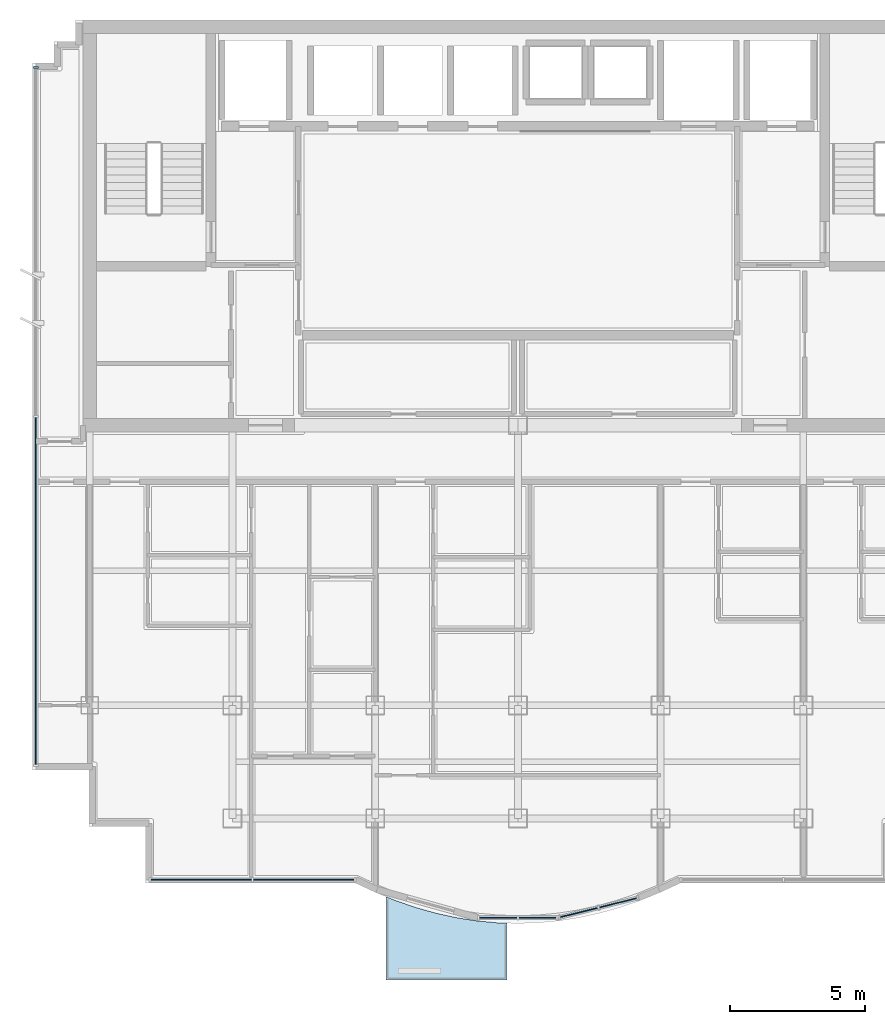
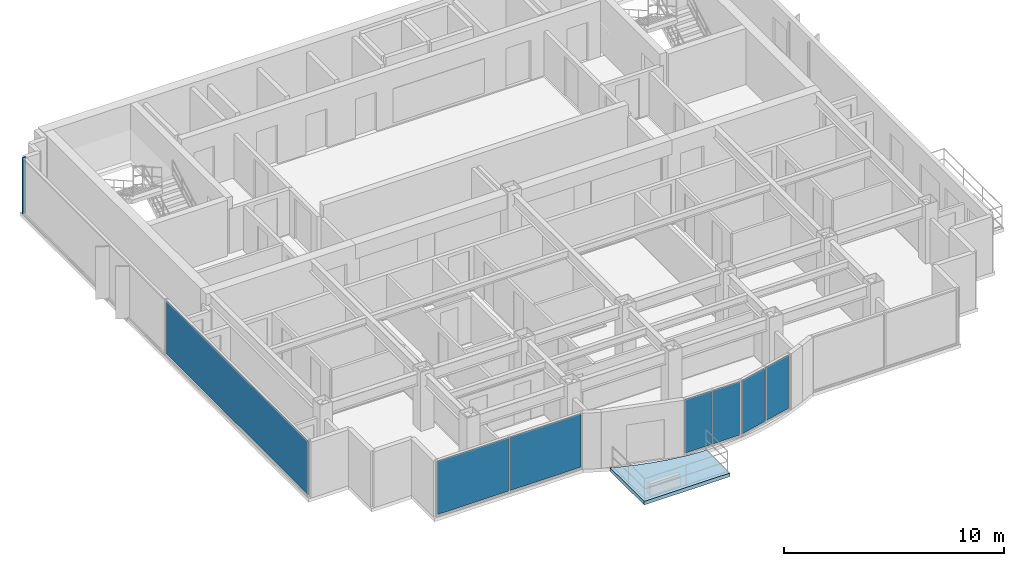
# One storey, part 3 of 9: 7 plates, 1 member, 1 slab, 4 elements without a shape of their own.
"""IFC4 building model written with IfcOpenShell, lengths in metres."""

from ifc_helpers import new_model, si_unit, direction, frame, origin, origin_2d, place, context, subcontext, project, spatial, polyline, rectangle, outline, extrude, source, transform, mapped, material, layer, layer_set, material_profile, profile_set, type_object, element, aggregate, save


model = new_model("IFC4")

# Units and contexts
model_context = context("Model", 3, precision=1e-05, world=origin(), true_north=direction((0.0, 1.0)))
body_context = subcontext(model_context, "Body", "Model", "MODEL_VIEW")
ifc_project = project(units=[si_unit("LENGTHUNIT", "METRE"), si_unit("AREAUNIT", "SQUARE_METRE"), si_unit("VOLUMEUNIT", "CUBIC_METRE"), si_unit("PLANEANGLEUNIT", "RADIAN"), si_unit("MASSUNIT", "GRAM", prefix="KILO")], contexts=[model_context])

# Site, building, storey
site_placement = place(None, origin())
site = spatial("IfcSite", under=ifc_project, at=site_placement, CompositionType="ELEMENT")
building_placement = place(site_placement, origin())
building = spatial("IfcBuilding", under=site, at=building_placement, Name="Qianlan Lanfeng Residences", CompositionType="ELEMENT")
storey_placement = place(building_placement, frame((0.0, 0.0, 242.89990234375)))
storey = spatial("IfcBuildingStorey", under=building, at=storey_placement, Name="L67", CompositionType="ELEMENT", Elevation=242.89990234375)

# Curtain wall, member
ifc_material_1 = material(Name="Anodised Bronze Aluminium 6063-T6", Category="aluminium")
ifc_layer_1 = layer(ifc_material_1, 0.219970703125)
ifc_layer_set_1 = layer_set([ifc_layer_1], Name="Anodised Bronze Aluminium 6063-T6")
curtain_wall_type = type_object("IfcCurtainWallType", Name="CW-06", PredefinedType="NOTDEFINED", material=ifc_layer_set_1)
curtain_wall_1_placement = place(storey_placement, origin())
curtain_wall_1 = element("IfcCurtainWall", 1, at=curtain_wall_1_placement, inside=storey, type_object=curtain_wall_type, Name="L67 Unitised Curtain Wall CWR-L67-05 (CW-06)", PredefinedType="NOTDEFINED")
ifc_material_profile = material_profile(ifc_material_1, rectangle(XDim=0.074951171875, YDim=0.179931640625, at=origin_2d()), Name="ALU MULLION 75x180")
ifc_profile_set = profile_set([ifc_material_profile], Name="Anodised Bronze Aluminium 6063-T6")
member_type = type_object("IfcMemberType", Name="CWM-180", PredefinedType="MULLION", material=ifc_profile_set)
shared_shape_1 = source(origin(), body_context, "Body", "SweptSolid", [
    extrude(rectangle(XDim=0.074951171875, YDim=0.179931640625, at=origin_2d()), origin(), (0.0, 0.0, 1.0), 3.110107421875),
])
member_placement = place(storey_placement, frame((8.60009765625, 38.492431640625, 0.0), z_axis=(0.0, 0.0, 1.0), x_axis=(0.0, -1.0, 0.0)))
member = element("IfcMember", 2, at=member_placement, type_object=member_type, Name="CWR-L67-05 Mullion 1", PredefinedType="MULLION", context=body_context, shape_type="MappedRepresentation", body=[
    mapped(shared_shape_1, transform((0.0, 0.0, 0.0), scale=1.0)),
])

# Slab
ifc_material_2 = material(Name="Concrete C42", Category="concrete")
ifc_layer_2 = layer(ifc_material_2, 0.199951171875)
ifc_layer_set_2 = layer_set([ifc_layer_2], Name="Concrete C42")
slab_type = type_object("IfcSlabType", Name="S-BAL-200", PredefinedType="FLOOR", material=ifc_layer_set_2)
slab_placement = place(storey_placement, frame((0.0, 0.0, -0.199951171875)))
element("IfcSlab", 3, at=slab_placement, inside=storey, type_object=slab_type, Name="L67 Planted Tree Balcony Slab SB-C", PredefinedType="FLOOR", context=body_context, shape_type="SweptSolid", body=[
    extrude(outline(polyline([(26.10009765625, 6.7119140625), (25.7451171875, 6.722900390625), (24.989990234375, 6.7939453125), (24.235107421875, 6.910888671875), (23.47998046875, 7.074951171875), (22.72509765625, 7.285888671875), (21.969970703125, 7.5439453125), (21.60009765625, 7.693115234375), (21.60009765625, 4.60009765625), (26.10009765625, 4.60009765625), (26.10009765625, 6.7119140625)])), origin(), (0.0, 0.0, 1.0), 0.199951171875),
])

# Curtain wall, plates
curtain_wall_2_placement = place(storey_placement, origin())
curtain_wall_2 = element("IfcCurtainWall", 4, at=curtain_wall_2_placement, inside=storey, type_object=curtain_wall_type, Name="L67 Unitised Curtain Wall CWR-L67-01 (CW-06)", PredefinedType="NOTDEFINED")
ifc_material_3 = material(Name="Dark Bronze Tinted Insulated Glass", Category="glass")
ifc_layer_3 = layer(ifc_material_3, 0.0380859375)
ifc_layer_set_3 = layer_set([ifc_layer_3], Name="Dark Bronze Tinted Insulated Glass")
plate_type_1 = type_object("IfcPlateType", Name="PNL-GLZ-BRZ", PredefinedType="CURTAIN_PANEL", material=ifc_layer_set_3)
shared_shape_2 = source(origin(), body_context, "Body", "SweptSolid", [
    extrude(rectangle(XDim=3.73291015625, YDim=0.0380859375, at=origin_2d()), origin(), (0.0, 0.0, 1.0), 2.9619140625),
])
plate_1_placement = place(storey_placement, frame((14.740478515625, 8.320068359375, 0.07421875), z_axis=(0.0, 0.0, 1.0), x_axis=(1.0, 0.0, 0.0)))
plate_1 = element("IfcPlate", 5, at=plate_1_placement, type_object=plate_type_1, Name="CWR-L67-01 Curtain Panel 1", PredefinedType="CURTAIN_PANEL", context=body_context, shape_type="MappedRepresentation", body=[
    mapped(shared_shape_2, transform((0.0, 0.0, 0.0), scale=1.0)),
])
plate_2_placement = place(storey_placement, frame((18.54638671875, 8.320068359375, 0.07421875), z_axis=(0.0, 0.0, 1.0), x_axis=(1.0, 0.0, 0.0)))
plate_2 = element("IfcPlate", 6, at=plate_2_placement, type_object=plate_type_1, Name="CWR-L67-01 Curtain Panel 2", PredefinedType="CURTAIN_PANEL", context=body_context, shape_type="MappedRepresentation", body=[
    mapped(shared_shape_2, transform((0.0, 0.0, 0.0), scale=1.0)),
])
aggregate(curtain_wall_2, [plate_1, plate_2])

# Plate
shared_shape_3 = source(origin(), body_context, "Body", "SweptSolid", [
    extrude(rectangle(XDim=12.89453125, YDim=0.0380859375, at=origin_2d()), origin(), (0.0, 0.0, 1.0), 2.9619140625),
])
plate_3_placement = place(storey_placement, frame((8.60009765625, 19.041259765625, 0.07421875), z_axis=(0.0, 0.0, 1.0), x_axis=(0.0, -1.0, 0.0)))
plate_3 = element("IfcPlate", 7, at=plate_3_placement, type_object=plate_type_1, Name="CWR-L67-05 Curtain Panel 2", PredefinedType="CURTAIN_PANEL", context=body_context, shape_type="MappedRepresentation", body=[
    mapped(shared_shape_3, transform((0.0, 0.0, 0.0), scale=1.0)),
])

aggregate(curtain_wall_1, [member, plate_3])

# Curtain wall, plates
curtain_wall_3_placement = place(storey_placement, origin())
curtain_wall_3 = element("IfcCurtainWall", 8, at=curtain_wall_3_placement, inside=storey, type_object=curtain_wall_type, Name="L67 Unitised Curtain Wall CWR-L67-02 (CW-06)", PredefinedType="NOTDEFINED")
shared_shape_4 = source(origin(), body_context, "Body", "SweptSolid", [
    extrude(rectangle(XDim=1.384521484375, YDim=0.0380859375, at=origin_2d()), origin(), (0.0, 0.0, 1.0), 2.9619140625),
])
plate_4_placement = place(storey_placement, frame((25.771240234375, 6.9130859375, 0.07421875), z_axis=(0.0, 0.0, 1.0), x_axis=(1.0, 0.0, 0.0)))
plate_4 = element("IfcPlate", 9, at=plate_4_placement, type_object=plate_type_1, Name="CWR-L67-02 Curtain Panel 1", PredefinedType="CURTAIN_PANEL", context=body_context, shape_type="MappedRepresentation", body=[
    mapped(shared_shape_4, transform((0.0, 0.0, 0.0), scale=1.0)),
])
ifc_material_4 = material(Name="Perforated Anodised Bronze Aluminium Panel", Category="aluminium")
ifc_layer_4 = layer(ifc_material_4, 0.0419921875)
ifc_layer_set_4 = layer_set([ifc_layer_4], Name="Perforated Anodised Bronze Aluminium Panel")
plate_type_2 = type_object("IfcPlateType", Name="PNL-PRF-BRZ", PredefinedType="CURTAIN_PANEL", material=ifc_layer_set_4)
shared_shape_5 = source(origin(), body_context, "Body", "SweptSolid", [
    extrude(rectangle(XDim=1.384521484375, YDim=0.0419921875, at=origin_2d()), origin(), (0.0, 0.0, 1.0), 2.9619140625),
])
plate_5_placement = place(storey_placement, frame((27.228759765625, 6.9130859375, 0.07421875), z_axis=(0.0, 0.0, 1.0), x_axis=(1.0, 0.0, 0.0)))
plate_5 = element("IfcPlate", 10, at=plate_5_placement, type_object=plate_type_2, Name="CWR-L67-02 Curtain Panel 2", PredefinedType="CURTAIN_PANEL", context=body_context, shape_type="MappedRepresentation", body=[
    mapped(shared_shape_5, transform((0.0, 0.0, 0.0), scale=1.0)),
])
aggregate(curtain_wall_3, [plate_4, plate_5])

curtain_wall_4_placement = place(storey_placement, origin())
curtain_wall_4 = element("IfcCurtainWall", 11, at=curtain_wall_4_placement, inside=storey, type_object=curtain_wall_type, Name="L67 Unitised Curtain Wall CWR-L67-03 (CW-06)", PredefinedType="NOTDEFINED")
shared_shape_6 = source(origin(), body_context, "Body", "SweptSolid", [
    extrude(rectangle(XDim=1.431396484375, YDim=0.0380859375, at=origin_2d()), origin(), (0.0, 0.0, 1.0), 2.9619140625),
])
plate_6_placement = place(storey_placement, frame((28.761474609375, 7.103515625, 0.07421875), z_axis=(0.0, 0.0, 1.0), x_axis=(0.970466067332, 0.241237667369, 0.0)))
plate_6 = element("IfcPlate", 12, at=plate_6_placement, type_object=plate_type_1, Name="CWR-L67-03 Curtain Panel 1", PredefinedType="CURTAIN_PANEL", context=body_context, shape_type="MappedRepresentation", body=[
    mapped(shared_shape_6, transform((0.0, 0.0, 0.0), scale=1.0)),
])
shared_shape_7 = source(origin(), body_context, "Body", "SweptSolid", [
    extrude(rectangle(XDim=1.431640625, YDim=0.0380859375, at=origin_2d()), origin(), (0.0, 0.0, 1.0), 2.9619140625),
])
plate_7_placement = place(storey_placement, frame((30.221435546875, 7.466552734375, 0.07421875), z_axis=(0.0, 0.0, 1.0), x_axis=(0.970466067332, 0.241237667369, 0.0)))
plate_7 = element("IfcPlate", 13, at=plate_7_placement, type_object=plate_type_1, Name="CWR-L67-03 Curtain Panel 2", PredefinedType="CURTAIN_PANEL", context=body_context, shape_type="MappedRepresentation", body=[
    mapped(shared_shape_7, transform((0.0, 0.0, 0.0), scale=1.0)),
])
aggregate(curtain_wall_4, [plate_6, plate_7])

save(model, "model.ifc")
